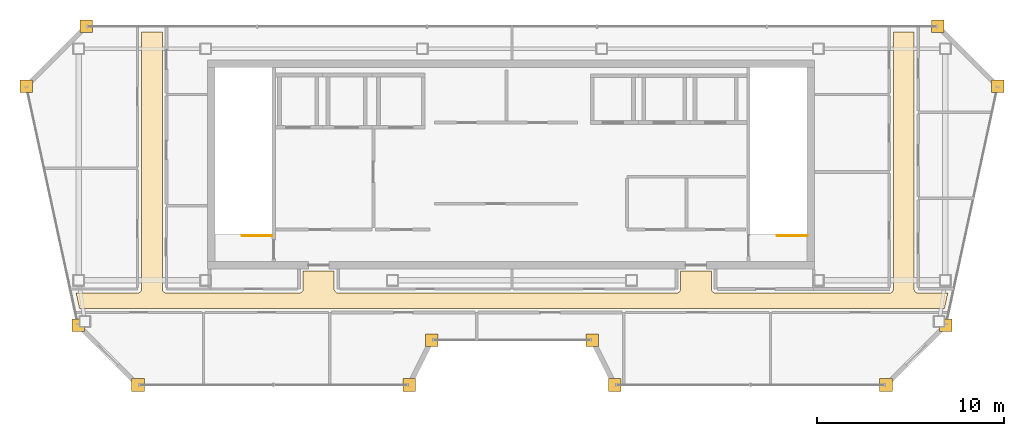
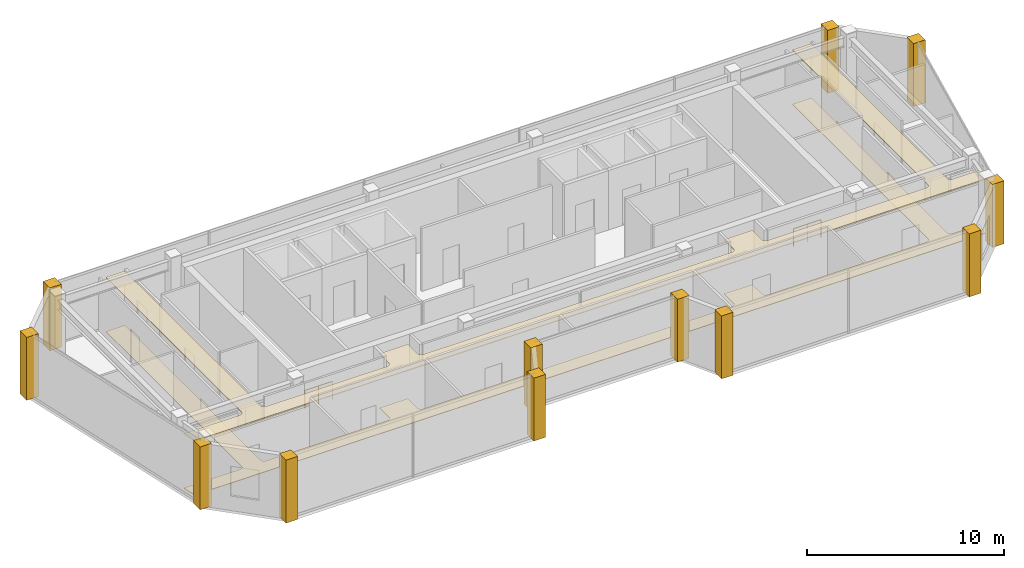
# One storey, part 17 of 17: 14 coverings, 2 railings.
"""IFC4 building model written with IfcOpenShell, lengths in metres."""

from ifc_helpers import new_model, si_unit, direction, frame, origin, origin_2d, place, context, subcontext, project, spatial, polyline, circle, outline, extrude, material, layer, layer_set, type_object, element, save


model = new_model("IFC4")

# Units and contexts
model_context = context("Model", 3, precision=1e-05, world=origin(), true_north=direction((0.0, 1.0)))
body_context = subcontext(model_context, "Body", "Model", "MODEL_VIEW")
ifc_project = project(units=[si_unit("LENGTHUNIT", "METRE"), si_unit("AREAUNIT", "SQUARE_METRE"), si_unit("VOLUMEUNIT", "CUBIC_METRE"), si_unit("PLANEANGLEUNIT", "RADIAN"), si_unit("MASSUNIT", "GRAM", prefix="KILO")], contexts=[model_context])

# Site, building, storey
site_placement = place(None, origin())
site = spatial("IfcSite", under=ifc_project, at=site_placement, CompositionType="ELEMENT")
building_placement = place(site_placement, origin())
building = spatial("IfcBuilding", under=site, at=building_placement, Name="Saevonmaru Cultural Tower", CompositionType="ELEMENT")
storey_placement = place(building_placement, frame((0.0, 0.0, 323.39990234375)))
storey = spatial("IfcBuildingStorey", under=building, at=storey_placement, Name="L77", CompositionType="ELEMENT", Elevation=323.39990234375)

# Coverings
ifc_material_1 = material(Name="Mineral Fibre Acoustic Ceiling", Category="gypsum")
ifc_layer_1 = layer(ifc_material_1, 0.044921875, Name="Mineral Fibre Acoustic Ceiling")
ifc_layer_set_1 = layer_set([ifc_layer_1], Name="Mineral Fibre Acoustic Ceiling")
covering_type_1 = type_object("IfcCoveringType", Name="CV-CEIL-ACOUSTIC", PredefinedType="CEILING", material=ifc_layer_set_1)
covering_1_placement = place(storey_placement, frame((0.0, 0.0, 3.35009765625)))
element("IfcCovering", 1, at=covering_1_placement, inside=storey, type_object=covering_type_1, Name="L77 Corridor Acoustic Ceiling", PredefinedType="CEILING", context=body_context, shape_type="SweptSolid", body=[
    extrude(outline(polyline([(6.843994140625, 40.89990234375), (6.6669921875, 41.719970703125), (9.949951171875, 41.719970703125), (9.971923828125, 41.720947265625), (9.992919921875, 41.72412109375), (10.013916015625, 41.72900390625), (10.033935546875, 41.737060546875), (10.053955078125, 41.74609375), (10.072021484375, 41.757080078125), (10.090087890625, 41.77001953125), (10.10595703125, 41.783935546875), (10.1201171875, 41.800048828125), (10.133056640625, 41.818115234375), (10.14404296875, 41.8359375), (10.153076171875, 41.85595703125), (10.160888671875, 41.8759765625), (10.166015625, 41.89697265625), (10.1689453125, 41.91796875), (10.169921875, 41.93994140625), (10.169921875, 55.699951171875), (11.280029296875, 55.699951171875), (11.280029296875, 41.93994140625), (11.281005859375, 41.91796875), (11.283935546875, 41.89697265625), (11.2890625, 41.8759765625), (11.297119140625, 41.85595703125), (11.305908203125, 41.8359375), (11.31689453125, 41.818115234375), (11.330078125, 41.800048828125), (11.343994140625, 41.783935546875), (11.360107421875, 41.77001953125), (11.3779296875, 41.757080078125), (11.39599609375, 41.74609375), (11.416015625, 41.737060546875), (11.43603515625, 41.72900390625), (11.45703125, 41.72412109375), (11.47802734375, 41.720947265625), (11.5, 41.719970703125), (18.60009765625, 41.719970703125), (18.6220703125, 41.720947265625), (18.64306640625, 41.72412109375), (18.6640625, 41.72900390625), (18.68408203125, 41.737060546875), (18.7041015625, 41.74609375), (18.721923828125, 41.757080078125), (18.739990234375, 41.77001953125), (18.756103515625, 41.783935546875), (18.77001953125, 41.800048828125), (18.782958984375, 41.818115234375), (18.7939453125, 41.8359375), (18.802978515625, 41.85595703125), (18.81103515625, 41.8759765625), (18.81591796875, 41.89697265625), (18.819091796875, 41.91796875), (18.820068359375, 41.93994140625), (18.820068359375, 42.889892578125), (20.47998046875, 42.889892578125), (20.47998046875, 41.93994140625), (20.48095703125, 41.91796875), (20.48388671875, 41.89697265625), (20.489013671875, 41.8759765625), (20.4970703125, 41.85595703125), (20.506103515625, 41.8359375), (20.51708984375, 41.818115234375), (20.530029296875, 41.800048828125), (20.5439453125, 41.783935546875), (20.56005859375, 41.77001953125), (20.577880859375, 41.757080078125), (20.595947265625, 41.74609375), (20.615966796875, 41.737060546875), (20.635986328125, 41.72900390625), (20.656982421875, 41.72412109375), (20.677978515625, 41.720947265625), (20.699951171875, 41.719970703125), (38.800048828125, 41.719970703125), (38.822021484375, 41.720947265625), (38.843017578125, 41.72412109375), (38.864013671875, 41.72900390625), (38.884033203125, 41.737060546875), (38.904052734375, 41.74609375), (38.922119140625, 41.757080078125), (38.93994140625, 41.77001953125), (38.9560546875, 41.783935546875), (38.969970703125, 41.800048828125), (38.98291015625, 41.818115234375), (38.993896484375, 41.8359375), (39.0029296875, 41.85595703125), (39.010986328125, 41.8759765625), (39.01611328125, 41.89697265625), (39.01904296875, 41.91796875), (39.02001953125, 41.93994140625), (39.02001953125, 42.889892578125), (40.679931640625, 42.889892578125), (40.679931640625, 41.93994140625), (40.680908203125, 41.91796875), (40.68408203125, 41.89697265625), (40.68896484375, 41.8759765625), (40.697021484375, 41.85595703125), (40.7060546875, 41.8359375), (40.717041015625, 41.818115234375), (40.72998046875, 41.800048828125), (40.743896484375, 41.783935546875), (40.760009765625, 41.77001953125), (40.778076171875, 41.757080078125), (40.7958984375, 41.74609375), (40.81591796875, 41.737060546875), (40.8359375, 41.72900390625), (40.85693359375, 41.72412109375), (40.8779296875, 41.720947265625), (40.89990234375, 41.719970703125), (50.199951171875, 41.719970703125), (50.221923828125, 41.720947265625), (50.242919921875, 41.72412109375), (50.263916015625, 41.72900390625), (50.283935546875, 41.737060546875), (50.303955078125, 41.74609375), (50.322021484375, 41.757080078125), (50.340087890625, 41.77001953125), (50.35595703125, 41.783935546875), (50.3701171875, 41.800048828125), (50.383056640625, 41.818115234375), (50.39404296875, 41.8359375), (50.403076171875, 41.85595703125), (50.410888671875, 41.8759765625), (50.416015625, 41.89697265625), (50.4189453125, 41.91796875), (50.419921875, 41.93994140625), (50.419921875, 55.699951171875), (51.530029296875, 55.699951171875), (51.530029296875, 41.93994140625), (51.531005859375, 41.91796875), (51.533935546875, 41.89697265625), (51.5390625, 41.8759765625), (51.547119140625, 41.85595703125), (51.555908203125, 41.8359375), (51.56689453125, 41.818115234375), (51.580078125, 41.800048828125), (51.593994140625, 41.783935546875), (51.610107421875, 41.77001953125), (51.6279296875, 41.757080078125), (51.64599609375, 41.74609375), (51.666015625, 41.737060546875), (51.68603515625, 41.72900390625), (51.70703125, 41.72412109375), (51.72802734375, 41.720947265625), (51.75, 41.719970703125), (53.3330078125, 41.719970703125), (53.156005859375, 40.89990234375), (6.843994140625, 40.89990234375)])), origin(), (0.0, 0.0, 1.0), 0.044921875),
])
ifc_material_2 = material(Name="Satin Bronze Anodised Aluminium", Category="aluminium")
ifc_layer_2 = layer(ifc_material_2, 0.679931640625, Name="Satin Bronze Anodised Aluminium")
ifc_layer_set_2 = layer_set([ifc_layer_2], Name="Satin Bronze Anodised Aluminium")
covering_type_2 = type_object("IfcCoveringType", Name="CV-CORNER-CLAD", PredefinedType="CLADDING", material=ifc_layer_set_2)
covering_2_placement = place(storey_placement, origin())
element("IfcCovering", 2, at=covering_2_placement, inside=storey, type_object=covering_type_2, Name="L77 Tower Bronze Corner Cladding Pier 1", PredefinedType="CLADDING", context=body_context, shape_type="SweptSolid", body=[
    extrude(outline(polyline([(6.43310546875, 39.659912109375), (7.113037109375, 39.659912109375), (7.113037109375, 40.340087890625), (6.43310546875, 40.340087890625), (6.43310546875, 39.659912109375)])), origin(), (0.0, 0.0, 1.0), 3.900146484375),
])
covering_3_placement = place(storey_placement, origin())
element("IfcCovering", 3, at=covering_3_placement, inside=storey, type_object=covering_type_2, Name="L77 Tower Bronze Corner Cladding Pier 2", PredefinedType="CLADDING", context=body_context, shape_type="SweptSolid", body=[
    extrude(outline(polyline([(9.633056640625, 36.4599609375), (10.31298828125, 36.4599609375), (10.31298828125, 37.139892578125), (9.633056640625, 37.139892578125), (9.633056640625, 36.4599609375)])), origin(), (0.0, 0.0, 1.0), 3.900146484375),
])
covering_4_placement = place(storey_placement, origin())
element("IfcCovering", 4, at=covering_4_placement, inside=storey, type_object=covering_type_2, Name="L77 Tower Bronze Corner Cladding Pier 3", PredefinedType="CLADDING", context=body_context, shape_type="SweptSolid", body=[
    extrude(outline(polyline([(24.159912109375, 36.4599609375), (24.840087890625, 36.4599609375), (24.840087890625, 37.139892578125), (24.159912109375, 37.139892578125), (24.159912109375, 36.4599609375)])), origin(), (0.0, 0.0, 1.0), 3.900146484375),
])
covering_5_placement = place(storey_placement, origin())
element("IfcCovering", 5, at=covering_5_placement, inside=storey, type_object=covering_type_2, Name="L77 Tower Bronze Corner Cladding Pier 4", PredefinedType="CLADDING", context=body_context, shape_type="SweptSolid", body=[
    extrude(outline(polyline([(25.360107421875, 38.860107421875), (26.0400390625, 38.860107421875), (26.0400390625, 39.5400390625), (25.360107421875, 39.5400390625), (25.360107421875, 38.860107421875)])), origin(), (0.0, 0.0, 1.0), 3.900146484375),
])
covering_6_placement = place(storey_placement, origin())
element("IfcCovering", 6, at=covering_6_placement, inside=storey, type_object=covering_type_2, Name="L77 Tower Bronze Corner Cladding Pier 5", PredefinedType="CLADDING", context=body_context, shape_type="SweptSolid", body=[
    extrude(outline(polyline([(33.9599609375, 38.860107421875), (34.639892578125, 38.860107421875), (34.639892578125, 39.5400390625), (33.9599609375, 39.5400390625), (33.9599609375, 38.860107421875)])), origin(), (0.0, 0.0, 1.0), 3.900146484375),
])
covering_7_placement = place(storey_placement, origin())
element("IfcCovering", 7, at=covering_7_placement, inside=storey, type_object=covering_type_2, Name="L77 Tower Bronze Corner Cladding Pier 6", PredefinedType="CLADDING", context=body_context, shape_type="SweptSolid", body=[
    extrude(outline(polyline([(35.159912109375, 36.4599609375), (35.840087890625, 36.4599609375), (35.840087890625, 37.139892578125), (35.159912109375, 37.139892578125), (35.159912109375, 36.4599609375)])), origin(), (0.0, 0.0, 1.0), 3.900146484375),
])
covering_8_placement = place(storey_placement, origin())
element("IfcCovering", 8, at=covering_8_placement, inside=storey, type_object=covering_type_2, Name="L77 Tower Bronze Corner Cladding Pier 7", PredefinedType="CLADDING", context=body_context, shape_type="SweptSolid", body=[
    extrude(outline(polyline([(49.68701171875, 36.4599609375), (50.366943359375, 36.4599609375), (50.366943359375, 37.139892578125), (49.68701171875, 37.139892578125), (49.68701171875, 36.4599609375)])), origin(), (0.0, 0.0, 1.0), 3.900146484375),
])
covering_9_placement = place(storey_placement, origin())
element("IfcCovering", 9, at=covering_9_placement, inside=storey, type_object=covering_type_2, Name="L77 Tower Bronze Corner Cladding Pier 8", PredefinedType="CLADDING", context=body_context, shape_type="SweptSolid", body=[
    extrude(outline(polyline([(52.886962890625, 39.659912109375), (53.56689453125, 39.659912109375), (53.56689453125, 40.340087890625), (52.886962890625, 40.340087890625), (52.886962890625, 39.659912109375)])), origin(), (0.0, 0.0, 1.0), 3.900146484375),
])
covering_10_placement = place(storey_placement, origin())
element("IfcCovering", 10, at=covering_10_placement, inside=storey, type_object=covering_type_2, Name="L77 Tower Bronze Corner Cladding Pier 9", PredefinedType="CLADDING", context=body_context, shape_type="SweptSolid", body=[
    extrude(outline(polyline([(55.659912109375, 52.4599609375), (56.340087890625, 52.4599609375), (56.340087890625, 53.139892578125), (55.659912109375, 53.139892578125), (55.659912109375, 52.4599609375)])), origin(), (0.0, 0.0, 1.0), 3.900146484375),
])
covering_11_placement = place(storey_placement, origin())
element("IfcCovering", 11, at=covering_11_placement, inside=storey, type_object=covering_type_2, Name="L77 Tower Bronze Corner Cladding Pier 10", PredefinedType="CLADDING", context=body_context, shape_type="SweptSolid", body=[
    extrude(outline(polyline([(52.4599609375, 55.659912109375), (53.139892578125, 55.659912109375), (53.139892578125, 56.340087890625), (52.4599609375, 56.340087890625), (52.4599609375, 55.659912109375)])), origin(), (0.0, 0.0, 1.0), 3.900146484375),
])
covering_12_placement = place(storey_placement, origin())
element("IfcCovering", 12, at=covering_12_placement, inside=storey, type_object=covering_type_2, Name="L77 Tower Bronze Corner Cladding Pier 11", PredefinedType="CLADDING", context=body_context, shape_type="SweptSolid", body=[
    extrude(outline(polyline([(6.860107421875, 55.659912109375), (7.5400390625, 55.659912109375), (7.5400390625, 56.340087890625), (6.860107421875, 56.340087890625), (6.860107421875, 55.659912109375)])), origin(), (0.0, 0.0, 1.0), 3.900146484375),
])
covering_13_placement = place(storey_placement, origin())
element("IfcCovering", 13, at=covering_13_placement, inside=storey, type_object=covering_type_2, Name="L77 Tower Bronze Corner Cladding Pier 12", PredefinedType="CLADDING", context=body_context, shape_type="SweptSolid", body=[
    extrude(outline(polyline([(3.659912109375, 52.4599609375), (4.340087890625, 52.4599609375), (4.340087890625, 53.139892578125), (3.659912109375, 53.139892578125), (3.659912109375, 52.4599609375)])), origin(), (0.0, 0.0, 1.0), 3.900146484375),
])
ifc_material_3 = material(Name="Honed Granite Terrazzo", Category="masonry")
ifc_layer_3 = layer(ifc_material_3, 0.030029296875, Name="Honed Granite Terrazzo")
ifc_layer_set_3 = layer_set([ifc_layer_3], Name="Honed Granite Terrazzo")
covering_type_3 = type_object("IfcCoveringType", Name="CV-FLR-TERRAZZO", PredefinedType="FLOORING", material=ifc_layer_set_3)
covering_14_placement = place(storey_placement, origin())
element("IfcCovering", 14, at=covering_14_placement, inside=storey, type_object=covering_type_3, Name="L77 Corridor Terrazzo Flooring", PredefinedType="FLOORING", context=body_context, shape_type="SweptSolid", body=[
    extrude(outline(polyline([(6.843994140625, 40.89990234375), (6.6669921875, 41.719970703125), (9.949951171875, 41.719970703125), (9.971923828125, 41.720947265625), (9.992919921875, 41.72412109375), (10.013916015625, 41.72900390625), (10.033935546875, 41.737060546875), (10.053955078125, 41.74609375), (10.072021484375, 41.757080078125), (10.090087890625, 41.77001953125), (10.10595703125, 41.783935546875), (10.1201171875, 41.800048828125), (10.133056640625, 41.818115234375), (10.14404296875, 41.8359375), (10.153076171875, 41.85595703125), (10.160888671875, 41.8759765625), (10.166015625, 41.89697265625), (10.1689453125, 41.91796875), (10.169921875, 41.93994140625), (10.169921875, 55.699951171875), (11.280029296875, 55.699951171875), (11.280029296875, 41.93994140625), (11.281005859375, 41.91796875), (11.283935546875, 41.89697265625), (11.2890625, 41.8759765625), (11.297119140625, 41.85595703125), (11.305908203125, 41.8359375), (11.31689453125, 41.818115234375), (11.330078125, 41.800048828125), (11.343994140625, 41.783935546875), (11.360107421875, 41.77001953125), (11.3779296875, 41.757080078125), (11.39599609375, 41.74609375), (11.416015625, 41.737060546875), (11.43603515625, 41.72900390625), (11.45703125, 41.72412109375), (11.47802734375, 41.720947265625), (11.5, 41.719970703125), (18.60009765625, 41.719970703125), (18.6220703125, 41.720947265625), (18.64306640625, 41.72412109375), (18.6640625, 41.72900390625), (18.68408203125, 41.737060546875), (18.7041015625, 41.74609375), (18.721923828125, 41.757080078125), (18.739990234375, 41.77001953125), (18.756103515625, 41.783935546875), (18.77001953125, 41.800048828125), (18.782958984375, 41.818115234375), (18.7939453125, 41.8359375), (18.802978515625, 41.85595703125), (18.81103515625, 41.8759765625), (18.81591796875, 41.89697265625), (18.819091796875, 41.91796875), (18.820068359375, 41.93994140625), (18.820068359375, 42.889892578125), (20.47998046875, 42.889892578125), (20.47998046875, 41.93994140625), (20.48095703125, 41.91796875), (20.48388671875, 41.89697265625), (20.489013671875, 41.8759765625), (20.4970703125, 41.85595703125), (20.506103515625, 41.8359375), (20.51708984375, 41.818115234375), (20.530029296875, 41.800048828125), (20.5439453125, 41.783935546875), (20.56005859375, 41.77001953125), (20.577880859375, 41.757080078125), (20.595947265625, 41.74609375), (20.615966796875, 41.737060546875), (20.635986328125, 41.72900390625), (20.656982421875, 41.72412109375), (20.677978515625, 41.720947265625), (20.699951171875, 41.719970703125), (38.800048828125, 41.719970703125), (38.822021484375, 41.720947265625), (38.843017578125, 41.72412109375), (38.864013671875, 41.72900390625), (38.884033203125, 41.737060546875), (38.904052734375, 41.74609375), (38.922119140625, 41.757080078125), (38.93994140625, 41.77001953125), (38.9560546875, 41.783935546875), (38.969970703125, 41.800048828125), (38.98291015625, 41.818115234375), (38.993896484375, 41.8359375), (39.0029296875, 41.85595703125), (39.010986328125, 41.8759765625), (39.01611328125, 41.89697265625), (39.01904296875, 41.91796875), (39.02001953125, 41.93994140625), (39.02001953125, 42.889892578125), (40.679931640625, 42.889892578125), (40.679931640625, 41.93994140625), (40.680908203125, 41.91796875), (40.68408203125, 41.89697265625), (40.68896484375, 41.8759765625), (40.697021484375, 41.85595703125), (40.7060546875, 41.8359375), (40.717041015625, 41.818115234375), (40.72998046875, 41.800048828125), (40.743896484375, 41.783935546875), (40.760009765625, 41.77001953125), (40.778076171875, 41.757080078125), (40.7958984375, 41.74609375), (40.81591796875, 41.737060546875), (40.8359375, 41.72900390625), (40.85693359375, 41.72412109375), (40.8779296875, 41.720947265625), (40.89990234375, 41.719970703125), (50.199951171875, 41.719970703125), (50.221923828125, 41.720947265625), (50.242919921875, 41.72412109375), (50.263916015625, 41.72900390625), (50.283935546875, 41.737060546875), (50.303955078125, 41.74609375), (50.322021484375, 41.757080078125), (50.340087890625, 41.77001953125), (50.35595703125, 41.783935546875), (50.3701171875, 41.800048828125), (50.383056640625, 41.818115234375), (50.39404296875, 41.8359375), (50.403076171875, 41.85595703125), (50.410888671875, 41.8759765625), (50.416015625, 41.89697265625), (50.4189453125, 41.91796875), (50.419921875, 41.93994140625), (50.419921875, 55.699951171875), (51.530029296875, 55.699951171875), (51.530029296875, 41.93994140625), (51.531005859375, 41.91796875), (51.533935546875, 41.89697265625), (51.5390625, 41.8759765625), (51.547119140625, 41.85595703125), (51.555908203125, 41.8359375), (51.56689453125, 41.818115234375), (51.580078125, 41.800048828125), (51.593994140625, 41.783935546875), (51.610107421875, 41.77001953125), (51.6279296875, 41.757080078125), (51.64599609375, 41.74609375), (51.666015625, 41.737060546875), (51.68603515625, 41.72900390625), (51.70703125, 41.72412109375), (51.72802734375, 41.720947265625), (51.75, 41.719970703125), (53.3330078125, 41.719970703125), (53.156005859375, 40.89990234375), (6.843994140625, 40.89990234375)])), origin(), (0.0, 0.0, 1.0), 0.030029296875),
])

# Railings
ifc_material_4 = material(Name="Architectural Painted Steel", Category="steel")
railing_type = type_object("IfcRailingType", Name="RL-STAIR-GUARD", PredefinedType="GUARDRAIL", material=ifc_material_4)
railing_1_placement = place(storey_placement, frame((17.14990234375, 44.800048828125, 0.0)))
element("IfcRailing", 15, at=railing_1_placement, inside=storey, type_object=railing_type, Name="L77 ST-1 top well guard 1", PredefinedType="GUARDRAIL", context=body_context, shape_type="SweptSolid", body=[
    extrude(circle(Radius=0.02392578125, at=origin_2d()), frame((0.0, 0.0, 1.09619140625), z_axis=(-1.0, 0.0, 0.0), x_axis=(0.0, -1.0, 0.0)), (0.0, 0.0, 1.0), 1.599853515625),
    extrude(circle(Radius=0.02099609375, at=origin_2d()), origin(), (0.0, 0.0, 1.0), 1.072021484375),
    extrude(circle(Radius=0.02099609375, at=origin_2d()), frame((-0.7998046875, 0.0, 0.0)), (0.0, 0.0, 1.0), 1.072021484375),
    extrude(circle(Radius=0.02099609375, at=origin_2d()), frame((-1.599853515625, 0.0, 0.0)), (0.0, 0.0, 1.0), 1.072021484375),
])
railing_2_placement = place(storey_placement, frame((45.800048828125, 44.800048828125, 0.0)))
element("IfcRailing", 16, at=railing_2_placement, inside=storey, type_object=railing_type, Name="L77 ST-2 top well guard 1", PredefinedType="GUARDRAIL", context=body_context, shape_type="SweptSolid", body=[
    extrude(circle(Radius=0.02392578125, at=origin_2d()), frame((0.0, 0.0, 1.09619140625), z_axis=(-1.0, 0.0, 0.0), x_axis=(0.0, -1.0, 0.0)), (0.0, 0.0, 1.0), 1.60009765625),
    extrude(circle(Radius=0.02099609375, at=origin_2d()), origin(), (0.0, 0.0, 1.0), 1.072021484375),
    extrude(circle(Radius=0.02099609375, at=origin_2d()), frame((-0.800048828125, 0.0, 0.0)), (0.0, 0.0, 1.0), 1.072021484375),
    extrude(circle(Radius=0.02099609375, at=origin_2d()), frame((-1.60009765625, 0.0, 0.0)), (0.0, 0.0, 1.0), 1.072021484375),
])

save(model, "model.ifc")
